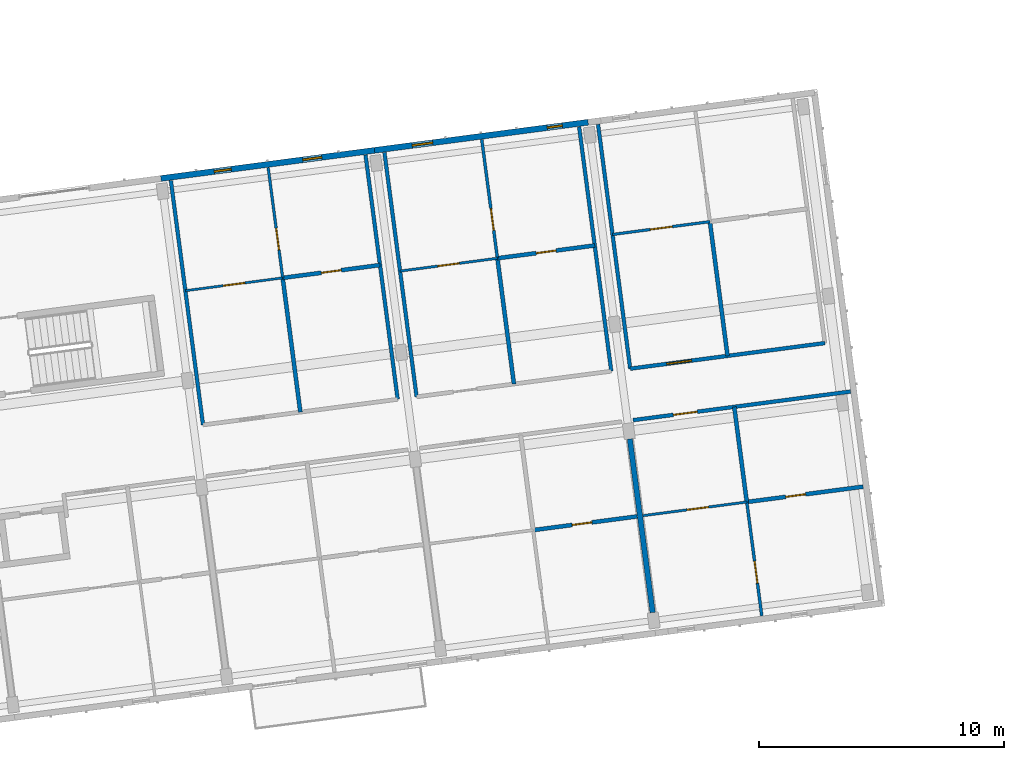
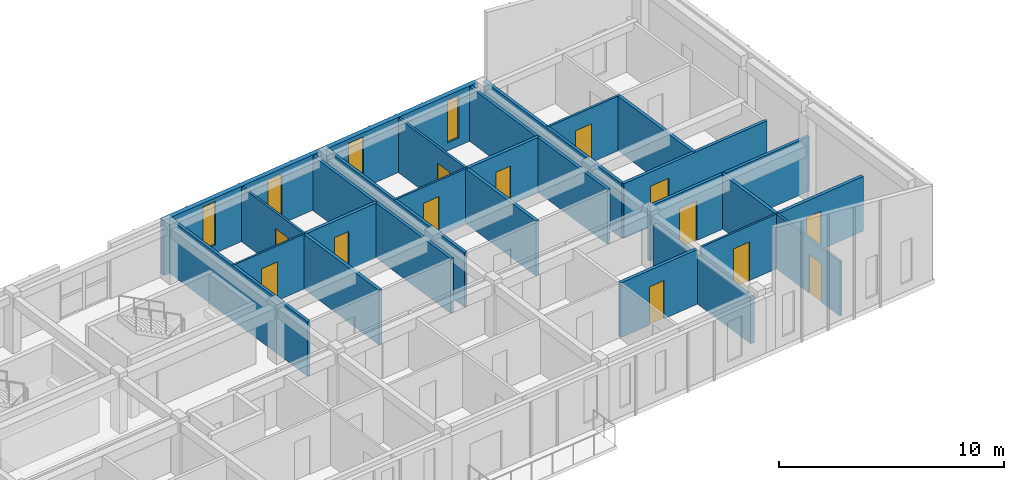
# One storey, part 15 of 31: 25 walls, 13 doors, 4 windows, 17 openings.
"""IFC4 building model written with IfcOpenShell, lengths in metres."""

from ifc_helpers import new_model, si_unit, direction, frame, frame_2d, origin, place, context, subcontext, project, spatial, rectangle, extrude, material, layer, layer_set, type_object, element, fill, save


model = new_model("IFC4")

# Units and contexts
model_context = context("Model", 3, precision=1e-05, world=origin(), true_north=direction((0.0, 1.0)))
body_context = subcontext(model_context, "Body", "Model", "MODEL_VIEW")
ifc_project = project(units=[si_unit("LENGTHUNIT", "METRE"), si_unit("AREAUNIT", "SQUARE_METRE"), si_unit("VOLUMEUNIT", "CUBIC_METRE"), si_unit("PLANEANGLEUNIT", "RADIAN"), si_unit("MASSUNIT", "GRAM", prefix="KILO")], contexts=[model_context])

# Site, building, storey
site_placement = place(None, origin())
site = spatial("IfcSite", under=ifc_project, at=site_placement, CompositionType="ELEMENT")
building_placement = place(site_placement, origin())
building = spatial("IfcBuilding", under=site, at=building_placement, Name="Kestramere Prow Commons", CompositionType="ELEMENT")
storey_placement = place(building_placement, frame((0.0, 0.0, 37.64990234375)))
storey = spatial("IfcBuildingStorey", under=building, at=storey_placement, Name="L11", CompositionType="ELEMENT", Elevation=37.64990234375)

# Wall, openings, windows
ifc_material_1 = material(Name="Fluoropolymer Standing-Seam Zinc-Aluminium Cladding", Category="aluminium")
ifc_layer_1 = layer(ifc_material_1, 0.239990234375)
ifc_layer_set_1 = layer_set([ifc_layer_1], Name="Fluoropolymer Standing-Seam Zinc-Aluminium Cladding")
wall_type_1 = type_object("IfcWallType", Name="EW-SEAM-240", PredefinedType="SOLIDWALL", material=ifc_layer_set_1)
wall_1_placement = place(storey_placement, frame((34.695068359375, 95.79541015625, 0.0), z_axis=(0.0, 0.0, 1.0), x_axis=(0.991447967712, 0.130502595073, 0.0)))
wall_1 = element("IfcWall", 1, at=wall_1_placement, inside=storey, type_object=wall_type_1, Name="Block A L11 North Standing-Seam Wall 4", PredefinedType="SOLIDWALL", context=body_context, shape_type="SweptSolid", body=[
    extrude(rectangle(XDim=8.800048828125, YDim=0.239990234375, at=frame_2d((4.39990234375, 0.0))), origin(), (0.0, 0.0, 1.0), 3.0),
])
opening_1_placement = place(wall_1_placement, frame((2.1943359375, 0.0, 0.43994140625)))
opening_1 = element("IfcOpeningElement", 2, at=opening_1_placement, cuts=wall_1, Name="Opening WN-07", PredefinedType="OPENING", context=body_context, shape_type="SweptSolid", body=[
    extrude(rectangle(XDim=0.699951171875, YDim=2.360107421875, at=frame_2d((0.35009765625, 1.18017578125))), frame((0.0, 0.135009765625, 0.0), z_axis=(0.0, -1.0, 0.0), x_axis=(1.0, 0.0, 0.0)), (0.0, 0.0, 1.0), 0.27001953125),
])
opening_2_placement = place(wall_1_placement, frame((5.848876953125, 0.0, 0.5)))
opening_2 = element("IfcOpeningElement", 3, at=opening_2_placement, cuts=wall_1, Name="Opening WN-11", PredefinedType="OPENING", context=body_context, shape_type="SweptSolid", body=[
    extrude(rectangle(XDim=0.780029296875, YDim=2.199951171875, at=frame_2d((0.39013671875, 1.10009765625))), frame((0.0, 0.135009765625, 0.0), z_axis=(0.0, -1.0, 0.0), x_axis=(1.0, 0.0, 0.0)), (0.0, 0.0, 1.0), 0.27001953125),
])
ifc_material_2 = material(Name="Low-E Laminated Double Glazing", Category="glass")
window_type_1 = type_object("IfcWindowType", Name="WN-NAR-700A", PartitioningType="SINGLE_PANEL", PredefinedType="WINDOW", material=ifc_material_2)
window_1_placement = place(opening_1_placement, origin())
window_1 = element("IfcWindow", 4, at=window_1_placement, inside=storey, type_object=window_type_1, Name="WN-A-L11-N-3-0", OverallHeight=2.360107421875, OverallWidth=0.699951171875, PartitioningType="SINGLE_PANEL", PredefinedType="WINDOW", context=body_context, shape_type="SweptSolid", body=[
    extrude(rectangle(XDim=0.699951171875, YDim=2.360107421875, at=frame_2d((0.35009765625, 1.18017578125))), frame((0.0, 0.030029296875, 0.0), z_axis=(0.0, -1.0, 0.0), x_axis=(1.0, 0.0, 0.0)), (0.0, 0.0, 1.0), 0.06005859375),
])
fill(opening_1, window_1)
window_type_2 = type_object("IfcWindowType", Name="WN-NAR-780A", PartitioningType="SINGLE_PANEL", PredefinedType="WINDOW", material=ifc_material_2)
window_2_placement = place(opening_2_placement, origin())
window_2 = element("IfcWindow", 5, at=window_2_placement, inside=storey, type_object=window_type_2, Name="WN-A-L11-N-3-1", OverallHeight=2.199951171875, OverallWidth=0.780029296875, PartitioningType="SINGLE_PANEL", PredefinedType="WINDOW", context=body_context, shape_type="SweptSolid", body=[
    extrude(rectangle(XDim=0.780029296875, YDim=2.199951171875, at=frame_2d((0.39013671875, 1.10009765625))), frame((0.0, 0.030029296875, 0.0), z_axis=(0.0, -1.0, 0.0), x_axis=(1.0, 0.0, 0.0)), (0.0, 0.0, 1.0), 0.06005859375),
])
fill(opening_2, window_2)

wall_2_placement = place(storey_placement, frame((43.419921875, 96.94384765625, 0.0), z_axis=(0.0, 0.0, 1.0), x_axis=(0.991443905089, 0.130533455715, 0.0)))
wall_2 = element("IfcWall", 6, at=wall_2_placement, inside=storey, type_object=wall_type_1, Name="Block A L11 North Standing-Seam Wall 5", PredefinedType="SOLIDWALL", context=body_context, shape_type="SweptSolid", body=[
    extrude(rectangle(XDim=8.7998046875, YDim=0.239990234375, at=frame_2d((4.39990234375, 0.0))), origin(), (0.0, 0.0, 1.0), 3.0),
])
opening_3_placement = place(wall_2_placement, frame((1.552001953125, 0.0, 0.5)))
opening_3 = element("IfcOpeningElement", 7, at=opening_3_placement, cuts=wall_2, Name="Opening WN-14", PredefinedType="OPENING", context=body_context, shape_type="SweptSolid", body=[
    extrude(rectangle(XDim=0.840087890625, YDim=2.280029296875, at=frame_2d((0.419921875, 1.14013671875))), frame((0.0, 0.135009765625, 0.0), z_axis=(0.0, -1.0, 0.0), x_axis=(1.0, 0.0, 0.0)), (0.0, 0.0, 1.0), 0.27001953125),
])
opening_4_placement = place(wall_2_placement, frame((7.11279296875, 0.0, 0.43994140625)))
opening_4 = element("IfcOpeningElement", 8, at=opening_4_placement, cuts=wall_2, Name="Opening WN-03", PredefinedType="OPENING", context=body_context, shape_type="SweptSolid", body=[
    extrude(rectangle(XDim=0.6201171875, YDim=2.280029296875, at=frame_2d((0.31005859375, 1.14013671875))), frame((0.0, 0.135009765625, 0.0), z_axis=(0.0, -1.0, 0.0), x_axis=(1.0, 0.0, 0.0)), (0.0, 0.0, 1.0), 0.27001953125),
])
window_type_3 = type_object("IfcWindowType", Name="WN-NAR-620A", PartitioningType="SINGLE_PANEL", PredefinedType="WINDOW", material=ifc_material_2)
window_3_placement = place(opening_4_placement, origin())
window_3 = element("IfcWindow", 9, at=window_3_placement, inside=storey, type_object=window_type_3, Name="WN-A-L11-N-4-1", OverallHeight=2.280029296875, OverallWidth=0.6201171875, PartitioningType="SINGLE_PANEL", PredefinedType="WINDOW", context=body_context, shape_type="SweptSolid", body=[
    extrude(rectangle(XDim=0.6201171875, YDim=2.280029296875, at=frame_2d((0.31005859375, 1.14013671875))), frame((0.0, 0.030029296875, 0.0), z_axis=(0.0, -1.0, 0.0), x_axis=(1.0, 0.0, 0.0)), (0.0, 0.0, 1.0), 0.06005859375),
])
fill(opening_4, window_3)
window_type_4 = type_object("IfcWindowType", Name="WN-NAR-840A", PartitioningType="DOUBLE_PANEL_VERTICAL", PredefinedType="WINDOW", material=ifc_material_2)
window_4_placement = place(opening_3_placement, origin())
window_4 = element("IfcWindow", 10, at=window_4_placement, inside=storey, type_object=window_type_4, Name="WN-A-L11-N-4-0", OverallHeight=2.280029296875, OverallWidth=0.840087890625, PartitioningType="SINGLE_PANEL", PredefinedType="WINDOW", context=body_context, shape_type="SweptSolid", body=[
    extrude(rectangle(XDim=0.840087890625, YDim=2.280029296875, at=frame_2d((0.419921875, 1.14013671875))), frame((0.0, 0.030029296875, 0.0), z_axis=(0.0, -1.0, 0.0), x_axis=(1.0, 0.0, 0.0)), (0.0, 0.0, 1.0), 0.06005859375),
])
fill(opening_3, window_4)

# Wall, opening, door
ifc_material_3 = material(Name="Fire-Rated Calcium Silicate Wall")
ifc_layer_2 = layer(ifc_material_3, 0.155029296875)
ifc_layer_set_2 = layer_set([ifc_layer_2], Name="Fire-Rated Calcium Silicate Wall")
wall_type_2 = type_object("IfcWallType", Name="W-FIRE-150", PredefinedType="PARTITIONING", material=ifc_layer_set_2)
wall_3_placement = place(storey_placement, frame((53.983642578125, 85.923583984375, 0.0), z_axis=(0.0, 0.0, 1.0), x_axis=(0.991445946609, 0.130517948779, 0.0)))
wall_3 = element("IfcWall", 11, at=wall_3_placement, inside=storey, type_object=wall_type_2, Name="Interior Partition PW-A-L11-CS-5", PredefinedType="PARTITIONING", context=body_context, shape_type="SweptSolid", body=[
    extrude(rectangle(XDim=8.9599609375, YDim=0.155029296875, at=frame_2d((4.47998046875, 0.0))), origin(), (0.0, 0.0, 1.0), 2.97021484375),
])
opening_5_placement = place(wall_3_placement, frame((1.655029296875, 0.0, 0.0)))
opening_5 = element("IfcOpeningElement", 12, at=opening_5_placement, cuts=wall_3, Name="Opening ID-04", PredefinedType="OPENING", context=body_context, shape_type="SweptSolid", body=[
    extrude(rectangle(XDim=0.97998046875, YDim=2.14990234375, at=frame_2d((0.489990234375, 1.074951171875))), frame((0.0, 0.092529296875, 0.0), z_axis=(0.0, -1.0, 0.0), x_axis=(1.0, 0.0, 0.0)), (0.0, 0.0, 1.0), 0.18505859375),
])
ifc_material_4 = material(Name="Hardwood Fire-Rated Flat Entrance Door", Category="wood")
door_type_1 = type_object("IfcDoorType", Name="FD-ENT-01", OperationType="NOTDEFINED", PredefinedType="DOOR", material=ifc_material_4)
door_1_placement = place(opening_5_placement, origin())
door_1 = element("IfcDoor", 13, at=door_1_placement, inside=storey, type_object=door_type_1, Name="Interior Door DR-A-L11-ENT-S5", OperationType="SINGLE_SWING_LEFT", OverallHeight=2.14990234375, OverallWidth=0.97998046875, PredefinedType="DOOR", context=body_context, shape_type="SweptSolid", body=[
    extrude(rectangle(XDim=0.97998046875, YDim=2.14990234375, at=frame_2d((0.489990234375, 1.074951171875))), frame((0.0, 0.02490234375, 0.0), z_axis=(0.0, -1.0, 0.0), x_axis=(1.0, 0.0, 0.0)), (0.0, 0.0, 1.0), 0.050048828125),
])
fill(opening_5, door_1)

wall_4_placement = place(storey_placement, frame((53.86328125, 88.02587890625, 0.0), z_axis=(0.0, 0.0, 1.0), x_axis=(0.991447973994, 0.130502547346, 0.0)))
wall_4 = element("IfcWall", 14, at=wall_4_placement, inside=storey, type_object=wall_type_2, Name="Interior Partition PW-A-L11-CN-5", PredefinedType="PARTITIONING", context=body_context, shape_type="SweptSolid", body=[
    extrude(rectangle(XDim=8.02001953125, YDim=0.155029296875, at=frame_2d((4.010009765625, 0.0))), origin(), (0.0, 0.0, 1.0), 2.97021484375),
])
opening_6_placement = place(wall_4_placement, frame((1.5048828125, 0.0, 0.0)))
opening_6 = element("IfcOpeningElement", 15, at=opening_6_placement, cuts=wall_4, Name="Opening ID-05", PredefinedType="OPENING", context=body_context, shape_type="SweptSolid", body=[
    extrude(rectangle(XDim=1.02001953125, YDim=2.199951171875, at=frame_2d((0.510009765625, 1.10009765625))), frame((0.0, 0.092529296875, 0.0), z_axis=(0.0, -1.0, 0.0), x_axis=(1.0, 0.0, 0.0)), (0.0, 0.0, 1.0), 0.18505859375),
])
door_type_2 = type_object("IfcDoorType", Name="FD-ENT-02", OperationType="NOTDEFINED", PredefinedType="DOOR", material=ifc_material_4)
door_2_placement = place(opening_6_placement, origin())
door_2 = element("IfcDoor", 16, at=door_2_placement, inside=storey, type_object=door_type_2, Name="Interior Door DR-A-L11-ENT-N5", OperationType="SINGLE_SWING_RIGHT", OverallHeight=2.199951171875, OverallWidth=1.02001953125, PredefinedType="DOOR", context=body_context, shape_type="SweptSolid", body=[
    extrude(rectangle(XDim=1.02001953125, YDim=2.199951171875, at=frame_2d((0.510009765625, 1.10009765625))), frame((0.0, 0.02490234375, 0.0), z_axis=(0.0, -1.0, 0.0), x_axis=(1.0, 0.0, 0.0)), (0.0, 0.0, 1.0), 0.050048828125),
])
fill(opening_6, door_2)

ifc_material_5 = material(Name="Gypsum Acoustic Drywall")
ifc_layer_3 = layer(ifc_material_5, 0.10009765625)
ifc_layer_set_3 = layer_set([ifc_layer_3], Name="Gypsum Acoustic Drywall")
wall_type_3 = type_object("IfcWallType", Name="W-PART-100", PredefinedType="PARTITIONING", material=ifc_layer_set_3)
wall_5_placement = place(storey_placement, frame((54.376220703125, 82.021484375, 0.0), z_axis=(0.0, 0.0, 1.0), x_axis=(0.991452356241, 0.130469250419, 0.0)))
wall_5 = element("IfcWall", 17, at=wall_5_placement, inside=storey, type_object=wall_type_3, Name="Interior Partition PW-A-L11-MIDS1-5", PredefinedType="PARTITIONING", context=body_context, shape_type="SweptSolid", body=[
    extrude(rectangle(XDim=4.28515625, YDim=0.10009765625, at=frame_2d((2.142578125, 0.0))), origin(), (0.0, 0.0, 1.0), 2.97021484375),
])
opening_7_placement = place(wall_5_placement, frame((1.824951171875, 0.0, 0.0)))
opening_7 = element("IfcOpeningElement", 18, at=opening_7_placement, cuts=wall_5, Name="Opening ID-10", PredefinedType="OPENING", context=body_context, shape_type="SweptSolid", body=[
    extrude(rectangle(XDim=0.8798828125, YDim=2.10009765625, at=frame_2d((0.43994140625, 1.050048828125))), frame((0.0, 0.06494140625, 0.0), z_axis=(0.0, -1.0, 0.0), x_axis=(1.0, 0.0, 0.0)), (0.0, 0.0, 1.0), 0.130126953125),
])
ifc_material_6 = material(Name="Engineered Timber Bedroom Door", Category="wood")
door_type_3 = type_object("IfcDoorType", Name="D-RM-03", OperationType="NOTDEFINED", PredefinedType="DOOR", material=ifc_material_6)
door_3_placement = place(opening_7_placement, origin())
door_3 = element("IfcDoor", 19, at=door_3_placement, inside=storey, type_object=door_type_3, Name="Interior Door DR-A-L11-KL-S5", OperationType="SINGLE_SWING_RIGHT", OverallHeight=2.10009765625, OverallWidth=0.8798828125, PredefinedType="DOOR", context=body_context, shape_type="SweptSolid", body=[
    extrude(rectangle(XDim=0.8798828125, YDim=2.10009765625, at=frame_2d((0.43994140625, 1.050048828125))), frame((0.0, 0.02490234375, 0.0), z_axis=(0.0, -1.0, 0.0), x_axis=(1.0, 0.0, 0.0)), (0.0, 0.0, 1.0), 0.050048828125),
])
fill(opening_7, door_3)

wall_6_placement = place(storey_placement, frame((44.46240234375, 92.012939453125, 0.0), z_axis=(0.0, 0.0, 1.0), x_axis=(0.991451394038, 0.130476562111, 0.0)))
wall_6 = element("IfcWall", 20, at=wall_6_placement, inside=storey, type_object=wall_type_3, Name="Interior Partition PW-A-L11-MIDN1-4", PredefinedType="PARTITIONING", context=body_context, shape_type="SweptSolid", body=[
    extrude(rectangle(XDim=4.009765625, YDim=0.10009765625, at=frame_2d((2.0048828125, 0.0))), origin(), (0.0, 0.0, 1.0), 2.97021484375),
])
opening_8_placement = place(wall_6_placement, frame((1.554931640625, 0.0, 0.0)))
opening_8 = element("IfcOpeningElement", 21, at=opening_8_placement, cuts=wall_6, Name="Opening ID-10", PredefinedType="OPENING", context=body_context, shape_type="SweptSolid", body=[
    extrude(rectangle(XDim=0.8798828125, YDim=2.10009765625, at=frame_2d((0.43994140625, 1.050048828125))), frame((0.0, 0.06494140625, 0.0), z_axis=(0.0, -1.0, 0.0), x_axis=(1.0, 0.0, 0.0)), (0.0, 0.0, 1.0), 0.130126953125),
])
door_4_placement = place(opening_8_placement, origin())
door_4 = element("IfcDoor", 22, at=door_4_placement, inside=storey, type_object=door_type_3, Name="Interior Door DR-A-L11-KL-N4", OperationType="SINGLE_SWING_LEFT", OverallHeight=2.10009765625, OverallWidth=0.8798828125, PredefinedType="DOOR", context=body_context, shape_type="SweptSolid", body=[
    extrude(rectangle(XDim=0.8798828125, YDim=2.10009765625, at=frame_2d((0.43994140625, 1.050048828125))), frame((0.0, 0.02490234375, 0.0), z_axis=(0.0, -1.0, 0.0), x_axis=(1.0, 0.0, 0.0)), (0.0, 0.0, 1.0), 0.050048828125),
])
fill(opening_8, door_4)

ifc_layer_4 = layer(ifc_material_5, 0.110107421875)
ifc_layer_set_4 = layer_set([ifc_layer_4], Name="Gypsum Acoustic Drywall")
wall_type_4 = type_object("IfcWallType", Name="W-PART-110", PredefinedType="PARTITIONING", material=ifc_layer_set_4)
wall_7_placement = place(storey_placement, frame((39.667724609375, 91.734619140625, 0.0), z_axis=(0.0, 0.0, 1.0), x_axis=(-0.130564403497, 0.991439830015, 0.0)))
wall_7 = element("IfcWall", 23, at=wall_7_placement, inside=storey, type_object=wall_type_4, Name="Interior Partition PW-A-L11-LB-N3", PredefinedType="PARTITIONING", context=body_context, shape_type="SweptSolid", body=[
    extrude(rectangle(XDim=4.5400390625, YDim=0.110107421875, at=frame_2d((2.27001953125, 0.0))), origin(), (0.0, 0.0, 1.0), 2.97021484375),
])
opening_9_placement = place(wall_7_placement, frame((1.14990234375, 0.0, 0.0)))
opening_9 = element("IfcOpeningElement", 24, at=opening_9_placement, cuts=wall_7, Name="Opening ID-08", PredefinedType="OPENING", context=body_context, shape_type="SweptSolid", body=[
    extrude(rectangle(XDim=0.89990234375, YDim=2.10009765625, at=frame_2d((0.449951171875, 1.050048828125))), frame((0.0, 0.070068359375, 0.0), z_axis=(0.0, -1.0, 0.0), x_axis=(1.0, 0.0, 0.0)), (0.0, 0.0, 1.0), 0.14013671875),
])
ifc_material_7 = material(Name="Engineered Timber Flush Door", Category="wood")
door_type_4 = type_object("IfcDoorType", Name="D-RM-01", OperationType="NOTDEFINED", PredefinedType="DOOR", material=ifc_material_7)
door_5_placement = place(opening_9_placement, origin())
door_5 = element("IfcDoor", 25, at=door_5_placement, inside=storey, type_object=door_type_4, Name="Interior Door DR-A-L11-BED-N3", OperationType="SINGLE_SWING_LEFT", OverallHeight=2.10009765625, OverallWidth=0.89990234375, PredefinedType="DOOR", context=body_context, shape_type="SweptSolid", body=[
    extrude(rectangle(XDim=0.89990234375, YDim=2.10009765625, at=frame_2d((0.449951171875, 1.050048828125))), frame((0.0, 0.02490234375, 0.0), z_axis=(0.0, -1.0, 0.0), x_axis=(1.0, 0.0, 0.0)), (0.0, 0.0, 1.0), 0.050048828125),
])
fill(opening_9, door_5)

wall_8_placement = place(storey_placement, frame((53.141357421875, 93.508544921875, 0.0), z_axis=(0.0, 0.0, 1.0), x_axis=(0.991444553502, 0.130528530716, 0.0)))
wall_8 = element("IfcWall", 26, at=wall_8_placement, inside=storey, type_object=wall_type_4, Name="Interior Partition PW-A-L11-MIDN1-5", PredefinedType="PARTITIONING", context=body_context, shape_type="SweptSolid", body=[
    extrude(rectangle(XDim=4.01025390625, YDim=0.110107421875, at=frame_2d((2.005126953125, 0.0))), origin(), (0.0, 0.0, 1.0), 2.97021484375),
])
opening_10_placement = place(wall_8_placement, frame((1.554931640625, 0.0, 0.0)))
opening_10 = element("IfcOpeningElement", 27, at=opening_10_placement, cuts=wall_8, Name="Opening ID-08", PredefinedType="OPENING", context=body_context, shape_type="SweptSolid", body=[
    extrude(rectangle(XDim=0.89990234375, YDim=2.10009765625, at=frame_2d((0.449951171875, 1.050048828125))), frame((0.0, 0.070068359375, 0.0), z_axis=(0.0, -1.0, 0.0), x_axis=(1.0, 0.0, 0.0)), (0.0, 0.0, 1.0), 0.14013671875),
])
door_6_placement = place(opening_10_placement, origin())
door_6 = element("IfcDoor", 28, at=door_6_placement, inside=storey, type_object=door_type_4, Name="Interior Door DR-A-L11-KL-N5", OperationType="SINGLE_SWING_LEFT", OverallHeight=2.10009765625, OverallWidth=0.89990234375, PredefinedType="DOOR", context=body_context, shape_type="SweptSolid", body=[
    extrude(rectangle(XDim=0.89990234375, YDim=2.10009765625, at=frame_2d((0.449951171875, 1.050048828125))), frame((0.0, 0.02490234375, 0.0), z_axis=(0.0, -1.0, 0.0), x_axis=(1.0, 0.0, 0.0)), (0.0, 0.0, 1.0), 0.050048828125),
])
fill(opening_10, door_6)

ifc_material_8 = material(Name="Lightweight Blockwork and Plaster", Category="masonry")
ifc_layer_5 = layer(ifc_material_8, 0.1201171875)
ifc_layer_set_5 = layer_set([ifc_layer_5], Name="Lightweight Blockwork and Plaster")
wall_type_5 = type_object("IfcWallType", Name="W-PART-120", PredefinedType="PARTITIONING", material=ifc_layer_set_5)
wall_9_placement = place(storey_placement, frame((59.23681640625, 77.930908203125, 0.0), z_axis=(0.0, 0.0, 1.0), x_axis=(-0.13050972446, 0.991447029256, 0.0)))
wall_9 = element("IfcWall", 29, at=wall_9_placement, inside=storey, type_object=wall_type_5, Name="Interior Partition PW-A-L11-LB-S5", PredefinedType="PARTITIONING", context=body_context, shape_type="SweptSolid", body=[
    extrude(rectangle(XDim=4.689697265625, YDim=0.1201171875, at=frame_2d((2.3447265625, 0.0))), origin(), (0.0, 0.0, 1.0), 2.97021484375),
])
opening_11_placement = place(wall_9_placement, frame((1.35009765625, 0.0, 0.0)))
opening_11 = element("IfcOpeningElement", 30, at=opening_11_placement, cuts=wall_9, Name="Opening ID-08", PredefinedType="OPENING", context=body_context, shape_type="SweptSolid", body=[
    extrude(rectangle(XDim=0.89990234375, YDim=2.10009765625, at=frame_2d((0.449951171875, 1.050048828125))), frame((0.0, 0.074951171875, 0.0), z_axis=(0.0, -1.0, 0.0), x_axis=(1.0, 0.0, 0.0)), (0.0, 0.0, 1.0), 0.150146484375),
])
door_7_placement = place(opening_11_placement, origin())
door_7 = element("IfcDoor", 31, at=door_7_placement, inside=storey, type_object=door_type_4, Name="Interior Door DR-A-L11-BED-S5", OperationType="SINGLE_SWING_RIGHT", OverallHeight=2.10009765625, OverallWidth=0.89990234375, PredefinedType="DOOR", context=body_context, shape_type="SweptSolid", body=[
    extrude(rectangle(XDim=0.89990234375, YDim=2.10009765625, at=frame_2d((0.449951171875, 1.050048828125))), frame((0.0, 0.02490234375, 0.0), z_axis=(0.0, -1.0, 0.0), x_axis=(1.0, 0.0, 0.0)), (0.0, 0.0, 1.0), 0.050048828125),
])
fill(opening_11, door_7)

wall_10_placement = place(storey_placement, frame((48.43798828125, 92.5361328125, 0.0), z_axis=(0.0, 0.0, 1.0), x_axis=(-0.130508755558, 0.991447156798, 0.0)))
wall_10 = element("IfcWall", 32, at=wall_10_placement, inside=storey, type_object=wall_type_5, Name="Interior Partition PW-A-L11-LB-N4", PredefinedType="PARTITIONING", context=body_context, shape_type="SweptSolid", body=[
    extrude(rectangle(XDim=4.889892578125, YDim=0.1201171875, at=frame_2d((2.44482421875, 0.0))), origin(), (0.0, 0.0, 1.0), 2.97021484375),
])
opening_12_placement = place(wall_10_placement, frame((1.14990234375, 0.0, 0.0)))
opening_12 = element("IfcOpeningElement", 33, at=opening_12_placement, cuts=wall_10, Name="Opening ID-08", PredefinedType="OPENING", context=body_context, shape_type="SweptSolid", body=[
    extrude(rectangle(XDim=0.89990234375, YDim=2.10009765625, at=frame_2d((0.449951171875, 1.050048828125))), frame((0.0, 0.074951171875, 0.0), z_axis=(0.0, -1.0, 0.0), x_axis=(1.0, 0.0, 0.0)), (0.0, 0.0, 1.0), 0.150146484375),
])
door_8_placement = place(opening_12_placement, origin())
door_8 = element("IfcDoor", 34, at=door_8_placement, inside=storey, type_object=door_type_4, Name="Interior Door DR-A-L11-BED-N4", OperationType="SINGLE_SWING_LEFT", OverallHeight=2.10009765625, OverallWidth=0.89990234375, PredefinedType="DOOR", context=body_context, shape_type="SweptSolid", body=[
    extrude(rectangle(XDim=0.89990234375, YDim=2.10009765625, at=frame_2d((0.449951171875, 1.050048828125))), frame((0.0, 0.02490234375, 0.0), z_axis=(0.0, -1.0, 0.0), x_axis=(1.0, 0.0, 0.0)), (0.0, 0.0, 1.0), 0.050048828125),
])
fill(opening_12, door_8)

# Walls
ifc_material_9 = material(Name="Masonry Compartment Wall", Category="masonry")
ifc_layer_6 = layer(ifc_material_9, 0.14990234375)
ifc_layer_set_6 = layer_set([ifc_layer_6], Name="Masonry Compartment Wall")
wall_type_6 = type_object("IfcWallType", Name="W-PART-150", PredefinedType="PARTITIONING", material=ifc_layer_set_6)
for number, where, z_axis, x_axis, name in (
    (35, (36.413818359375, 85.728515625, 0.0), (0.0, 0.0, 1.0), (-0.130531024319, 0.991444225204, 0.0), "Interior Partition PW-A-L11-NWL-3"),
    (36, (44.365234375, 86.775390625, 0.0), (0.0, 0.0, 1.0), (-0.130531024319, 0.991444225204, 0.0), "Interior Partition PW-A-L11-NWR-3"),
    (37, (45.138427734375, 86.877197265625, 0.0), (0.0, 0.0, 1.0), (-0.130531024319, 0.991444225204, 0.0), "Interior Partition PW-A-L11-NWL-4"),
):
    element("IfcWall", number, at=place(storey_placement, frame(where, z_axis=z_axis, x_axis=x_axis)), inside=storey, type_object=wall_type_6, Name=name, PredefinedType="PARTITIONING", context=body_context, shape_type="SweptSolid", body=[
        extrude(rectangle(XDim=10.070068359375, YDim=0.14990234375, at=frame_2d((5.03515625, 0.0))), origin(), (0.0, 0.0, 1.0), 2.97021484375),
    ])
for number, where, z_axis, x_axis, name in (
    (38, (53.08984375, 87.924072265625, 0.0), (0.0, 0.0, 1.0), (-0.130534161944, 0.991443812107, 0.0), "Interior Partition PW-A-L11-NWR-4"),
    (39, (53.86328125, 88.02587890625, 0.0), (0.0, 0.0, 1.0), (-0.130534161944, 0.991443812107, 0.0), "Interior Partition PW-A-L11-NWL-5"),
):
    element("IfcWall", number, at=place(storey_placement, frame(where, z_axis=z_axis, x_axis=x_axis)), inside=storey, type_object=wall_type_6, Name=name, PredefinedType="PARTITIONING", context=body_context, shape_type="SweptSolid", body=[
        extrude(rectangle(XDim=10.06982421875, YDim=0.14990234375, at=frame_2d((5.034912109375, 0.0))), origin(), (0.0, 0.0, 1.0), 2.97021484375),
    ])

# Wall, opening, door
ifc_layer_7 = layer(ifc_material_5, 0.094970703125)
ifc_layer_set_7 = layer_set([ifc_layer_7], Name="Gypsum Acoustic Drywall")
wall_type_7 = type_object("IfcWallType", Name="W-PART-95", PredefinedType="PARTITIONING", material=ifc_layer_set_7)
wall_11_placement = place(storey_placement, frame((35.69189453125, 91.211181640625, 0.0), z_axis=(0.0, 0.0, 1.0), x_axis=(0.991444553502, 0.130528530716, 0.0)))
wall_11 = element("IfcWall", 40, at=wall_11_placement, inside=storey, type_object=wall_type_7, Name="Interior Partition PW-A-L11-MIDN1-3", PredefinedType="PARTITIONING", context=body_context, shape_type="SweptSolid", body=[
    extrude(rectangle(XDim=4.01025390625, YDim=0.094970703125, at=frame_2d((2.005126953125, 0.0))), origin(), (0.0, 0.0, 1.0), 2.97021484375),
])
opening_13_placement = place(wall_11_placement, frame((1.554931640625, 0.0, 0.0)))
opening_13 = element("IfcOpeningElement", 41, at=opening_13_placement, cuts=wall_11, Name="Opening ID-08", PredefinedType="OPENING", context=body_context, shape_type="SweptSolid", body=[
    extrude(rectangle(XDim=0.89990234375, YDim=2.10009765625, at=frame_2d((0.449951171875, 1.050048828125))), frame((0.0, 0.0625, 0.0), z_axis=(0.0, -1.0, 0.0), x_axis=(1.0, 0.0, 0.0)), (0.0, 0.0, 1.0), 0.125),
])
door_9_placement = place(opening_13_placement, origin())
door_9 = element("IfcDoor", 42, at=door_9_placement, inside=storey, type_object=door_type_4, Name="Interior Door DR-A-L11-KL-N3", OperationType="SINGLE_SWING_LEFT", OverallHeight=2.10009765625, OverallWidth=0.89990234375, PredefinedType="DOOR", context=body_context, shape_type="SweptSolid", body=[
    extrude(rectangle(XDim=0.89990234375, YDim=2.10009765625, at=frame_2d((0.449951171875, 1.050048828125))), frame((0.0, 0.02490234375, 0.0), z_axis=(0.0, -1.0, 0.0), x_axis=(1.0, 0.0, 0.0)), (0.0, 0.0, 1.0), 0.050048828125),
])
fill(opening_13, door_9)

ifc_material_10 = material(Name="Waterproof Sanitary Masonry Wall", Category="masonry")
ifc_layer_8 = layer(ifc_material_10, 0.1650390625)
ifc_layer_set_8 = layer_set([ifc_layer_8], Name="Waterproof Sanitary Masonry Wall")
wall_type_8 = type_object("IfcWallType", Name="W-PLUMB-150", PredefinedType="PLUMBINGWALL", material=ifc_layer_set_8)
wall_12_placement = place(storey_placement, frame((49.89990234375, 81.43212890625, 0.0), z_axis=(0.0, 0.0, 1.0), x_axis=(0.991444014242, 0.130532626667, 0.0)))
wall_12 = element("IfcWall", 43, at=wall_12_placement, inside=storey, type_object=wall_type_8, Name="Interior Partition PW-A-L11-MIDS2-4", PredefinedType="PLUMBINGWALL", context=body_context, shape_type="SweptSolid", body=[
    extrude(rectangle(XDim=4.284912109375, YDim=0.1650390625, at=frame_2d((2.142578125, 0.0))), origin(), (0.0, 0.0, 1.0), 2.97021484375),
])
opening_14_placement = place(wall_12_placement, frame((1.60009765625, 0.0, 0.0)))
opening_14 = element("IfcOpeningElement", 44, at=opening_14_placement, cuts=wall_12, Name="Opening ID-11", PredefinedType="OPENING", context=body_context, shape_type="SweptSolid", body=[
    extrude(rectangle(XDim=0.820068359375, YDim=2.080078125, at=frame_2d((0.41015625, 1.0400390625))), frame((0.0, 0.097412109375, 0.0), z_axis=(0.0, -1.0, 0.0), x_axis=(1.0, 0.0, 0.0)), (0.0, 0.0, 1.0), 0.195068359375),
])
ifc_material_11 = material(Name="Moisture-Resistant Timber Bathroom Door", Category="wood")
door_type_5 = type_object("IfcDoorType", Name="D-BT-01", OperationType="NOTDEFINED", PredefinedType="DOOR", material=ifc_material_11)
door_10_placement = place(opening_14_placement, origin())
door_10 = element("IfcDoor", 45, at=door_10_placement, inside=storey, type_object=door_type_5, Name="Interior Door DR-A-L11-BTH-S4", OperationType="SINGLE_SWING_LEFT", OverallHeight=2.080078125, OverallWidth=0.820068359375, PredefinedType="DOOR", context=body_context, shape_type="SweptSolid", body=[
    extrude(rectangle(XDim=0.820068359375, YDim=2.080078125, at=frame_2d((0.41015625, 1.0400390625))), frame((0.0, 0.02490234375, 0.0), z_axis=(0.0, -1.0, 0.0), x_axis=(1.0, 0.0, 0.0)), (0.0, 0.0, 1.0), 0.050048828125),
])
fill(opening_14, door_10)

wall_13_placement = place(storey_placement, frame((58.624755859375, 82.58056640625, 0.0), z_axis=(0.0, 0.0, 1.0), x_axis=(0.991441813226, 0.130549343114, 0.0)))
wall_13 = element("IfcWall", 46, at=wall_13_placement, inside=storey, type_object=wall_type_8, Name="Interior Partition PW-A-L11-MIDS2-5", PredefinedType="PLUMBINGWALL", context=body_context, shape_type="SweptSolid", body=[
    extrude(rectangle(XDim=4.794921875, YDim=0.1650390625, at=frame_2d((2.3974609375, 0.0))), origin(), (0.0, 0.0, 1.0), 2.97021484375),
])
opening_15_placement = place(wall_13_placement, frame((1.60009765625, 0.0, 0.0)))
opening_15 = element("IfcOpeningElement", 47, at=opening_15_placement, cuts=wall_13, Name="Opening ID-11", PredefinedType="OPENING", context=body_context, shape_type="SweptSolid", body=[
    extrude(rectangle(XDim=0.820068359375, YDim=2.080078125, at=frame_2d((0.41015625, 1.0400390625))), frame((0.0, 0.097412109375, 0.0), z_axis=(0.0, -1.0, 0.0), x_axis=(1.0, 0.0, 0.0)), (0.0, 0.0, 1.0), 0.195068359375),
])
door_11_placement = place(opening_15_placement, origin())
door_11 = element("IfcDoor", 48, at=door_11_placement, inside=storey, type_object=door_type_5, Name="Interior Door DR-A-L11-BTH-S5", OperationType="SINGLE_SWING_LEFT", OverallHeight=2.080078125, OverallWidth=0.820068359375, PredefinedType="DOOR", context=body_context, shape_type="SweptSolid", body=[
    extrude(rectangle(XDim=0.820068359375, YDim=2.080078125, at=frame_2d((0.41015625, 1.0400390625))), frame((0.0, 0.02490234375, 0.0), z_axis=(0.0, -1.0, 0.0), x_axis=(1.0, 0.0, 0.0)), (0.0, 0.0, 1.0), 0.050048828125),
])
fill(opening_15, door_11)

# Wall
wall_14_placement = place(storey_placement, frame((58.624755859375, 82.58056640625, 0.0), z_axis=(0.0, 0.0, 1.0), x_axis=(-0.130539898676, 0.991443056788, 0.0)))
element("IfcWall", 49, at=wall_14_placement, inside=storey, type_object=wall_type_8, Name="Interior Partition PW-A-L11-KB-S5", PredefinedType="PLUMBINGWALL", context=body_context, shape_type="SweptSolid", body=[
    extrude(rectangle(XDim=3.919921875, YDim=0.1650390625, at=frame_2d((1.9599609375, 0.0))), origin(), (0.0, 0.0, 1.0), 2.97021484375),
])

# Wall, opening, door
wall_15_placement = place(storey_placement, frame((39.667724609375, 91.734619140625, 0.0), z_axis=(0.0, 0.0, 1.0), x_axis=(0.991443516139, 0.130536409887, 0.0)))
wall_15 = element("IfcWall", 50, at=wall_15_placement, inside=storey, type_object=wall_type_8, Name="Interior Partition PW-A-L11-MIDN2-3", PredefinedType="PLUMBINGWALL", context=body_context, shape_type="SweptSolid", body=[
    extrude(rectangle(XDim=4.010009765625, YDim=0.1650390625, at=frame_2d((2.0048828125, 0.0))), origin(), (0.0, 0.0, 1.0), 2.97021484375),
])
opening_16_placement = place(wall_15_placement, frame((1.594970703125, 0.0, 0.0)))
opening_16 = element("IfcOpeningElement", 51, at=opening_16_placement, cuts=wall_15, Name="Opening ID-11", PredefinedType="OPENING", context=body_context, shape_type="SweptSolid", body=[
    extrude(rectangle(XDim=0.820068359375, YDim=2.080078125, at=frame_2d((0.41015625, 1.0400390625))), frame((0.0, 0.097412109375, 0.0), z_axis=(0.0, -1.0, 0.0), x_axis=(1.0, 0.0, 0.0)), (0.0, 0.0, 1.0), 0.195068359375),
])
door_12_placement = place(opening_16_placement, origin())
door_12 = element("IfcDoor", 52, at=door_12_placement, inside=storey, type_object=door_type_5, Name="Interior Door DR-A-L11-BTH-N3", OperationType="SINGLE_SWING_RIGHT", OverallHeight=2.080078125, OverallWidth=0.820068359375, PredefinedType="DOOR", context=body_context, shape_type="SweptSolid", body=[
    extrude(rectangle(XDim=0.820068359375, YDim=2.080078125, at=frame_2d((0.41015625, 1.0400390625))), frame((0.0, 0.02490234375, 0.0), z_axis=(0.0, -1.0, 0.0), x_axis=(1.0, 0.0, 0.0)), (0.0, 0.0, 1.0), 0.050048828125),
])
fill(opening_16, door_12)

# Wall
wall_16_placement = place(storey_placement, frame((40.389404296875, 86.251953125, 0.0), z_axis=(0.0, 0.0, 1.0), x_axis=(-0.130503619975, 0.991447832805, 0.0)))
element("IfcWall", 53, at=wall_16_placement, inside=storey, type_object=wall_type_8, Name="Interior Partition PW-A-L11-KB-N3", PredefinedType="PLUMBINGWALL", context=body_context, shape_type="SweptSolid", body=[
    extrude(rectangle(XDim=5.530029296875, YDim=0.1650390625, at=frame_2d((2.76513671875, 0.0))), origin(), (0.0, 0.0, 1.0), 2.97021484375),
])

# Wall, opening, door
wall_17_placement = place(storey_placement, frame((48.43798828125, 92.5361328125, 0.0), z_axis=(0.0, 0.0, 1.0), x_axis=(0.991444553502, 0.130528530716, 0.0)))
wall_17 = element("IfcWall", 54, at=wall_17_placement, inside=storey, type_object=wall_type_8, Name="Interior Partition PW-A-L11-MIDN2-4", PredefinedType="PLUMBINGWALL", context=body_context, shape_type="SweptSolid", body=[
    extrude(rectangle(XDim=4.01025390625, YDim=0.1650390625, at=frame_2d((2.005126953125, 0.0))), origin(), (0.0, 0.0, 1.0), 2.97021484375),
])
opening_17_placement = place(wall_17_placement, frame((1.594970703125, 0.0, 0.0)))
opening_17 = element("IfcOpeningElement", 55, at=opening_17_placement, cuts=wall_17, Name="Opening ID-11", PredefinedType="OPENING", context=body_context, shape_type="SweptSolid", body=[
    extrude(rectangle(XDim=0.820068359375, YDim=2.080078125, at=frame_2d((0.41015625, 1.0400390625))), frame((0.0, 0.097412109375, 0.0), z_axis=(0.0, -1.0, 0.0), x_axis=(1.0, 0.0, 0.0)), (0.0, 0.0, 1.0), 0.195068359375),
])
door_13_placement = place(opening_17_placement, origin())
door_13 = element("IfcDoor", 56, at=door_13_placement, inside=storey, type_object=door_type_5, Name="Interior Door DR-A-L11-BTH-N4", OperationType="SINGLE_SWING_RIGHT", OverallHeight=2.080078125, OverallWidth=0.820068359375, PredefinedType="DOOR", context=body_context, shape_type="SweptSolid", body=[
    extrude(rectangle(XDim=0.820068359375, YDim=2.080078125, at=frame_2d((0.41015625, 1.0400390625))), frame((0.0, 0.02490234375, 0.0), z_axis=(0.0, -1.0, 0.0), x_axis=(1.0, 0.0, 0.0)), (0.0, 0.0, 1.0), 0.050048828125),
])
fill(opening_17, door_13)

# Walls
wall_18_placement = place(storey_placement, frame((49.1142578125, 87.400634765625, 0.0), z_axis=(0.0, 0.0, 1.0), x_axis=(-0.130558146496, 0.99144065399, 0.0)))
element("IfcWall", 57, at=wall_18_placement, inside=storey, type_object=wall_type_8, Name="Interior Partition PW-A-L11-KB-N4", PredefinedType="PLUMBINGWALL", context=body_context, shape_type="SweptSolid", body=[
    extrude(rectangle(XDim=5.179931640625, YDim=0.1650390625, at=frame_2d((2.58984375, 0.0))), origin(), (0.0, 0.0, 1.0), 2.97021484375),
])
wall_19_placement = place(storey_placement, frame((57.8388671875, 88.549072265625, 0.0), z_axis=(0.0, 0.0, 1.0), x_axis=(-0.130497907928, 0.991448584661, 0.0)))
element("IfcWall", 58, at=wall_19_placement, inside=storey, type_object=wall_type_8, Name="Interior Partition PW-A-L11-KB-N5", PredefinedType="PLUMBINGWALL", context=body_context, shape_type="SweptSolid", body=[
    extrude(rectangle(XDim=5.5302734375, YDim=0.1650390625, at=frame_2d((2.76513671875, 0.0))), origin(), (0.0, 0.0, 1.0), 2.97021484375),
])
ifc_material_12 = material(Name="Precast concrete C40/50", Category="concrete")
ifc_layer_9 = layer(ifc_material_12, 0.219970703125)
ifc_layer_set_9 = layer_set([ifc_layer_9], Name="Precast concrete C40/50")
wall_type_9 = type_object("IfcWallType", Name="W-XWALL-220", PredefinedType="SHEAR", material=ifc_layer_set_9)
wall_20_placement = place(storey_placement, frame((54.78125, 78.0654296875, 0.0), z_axis=(0.0, 0.0, 1.0), x_axis=(-0.130537539388, 0.991443367425, 0.0)))
element("IfcWall", 59, at=wall_20_placement, inside=storey, type_object=wall_type_9, Name="Block A L11 Precast Cross-Wall 5", PredefinedType="SHEAR", context=body_context, shape_type="SweptSolid", body=[
    extrude(rectangle(XDim=7.150146484375, YDim=0.219970703125, at=frame_2d((3.5751953125, 0.0))), origin(), (0.0, 0.0, 1.0), 2.5),
])

save(model, "model.ifc")
